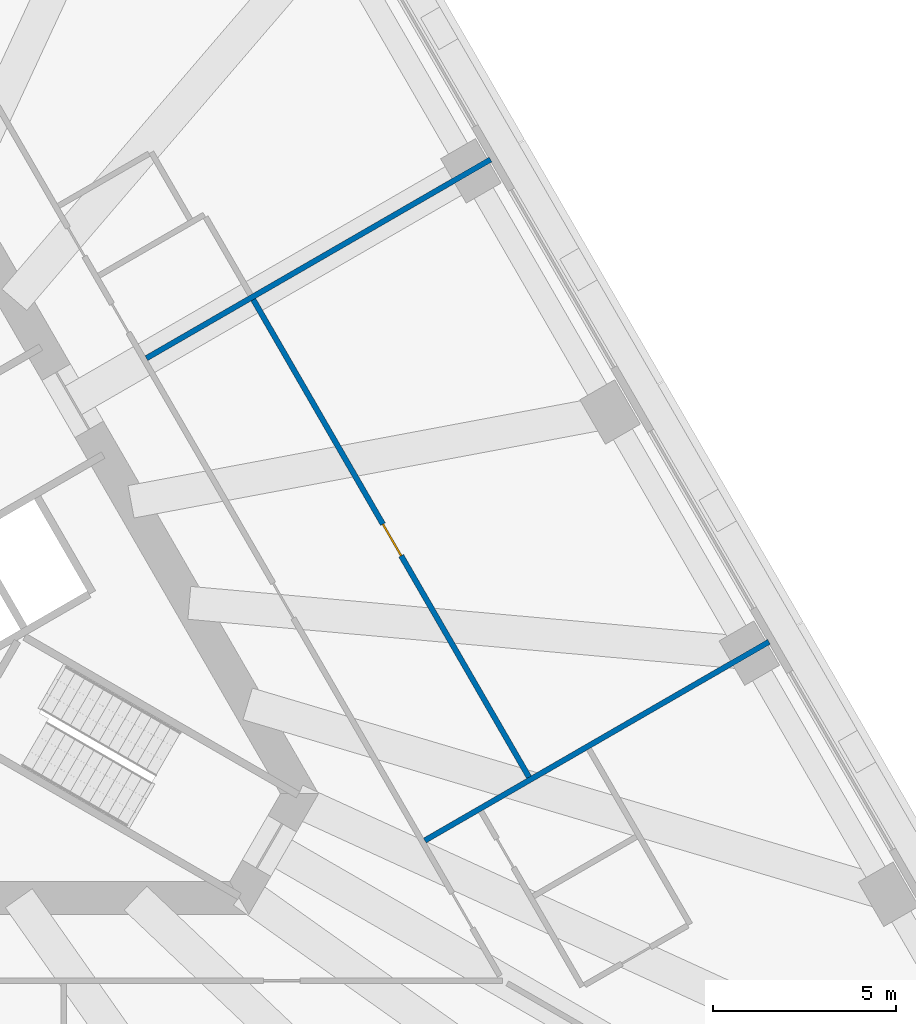
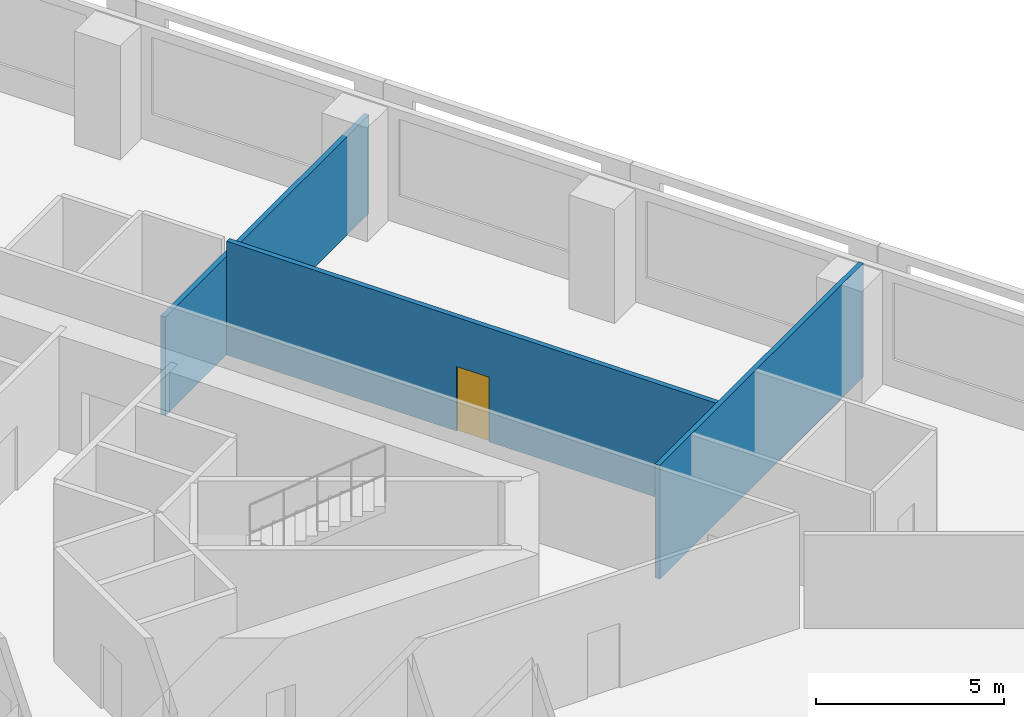
# One storey, part 7 of 11: 3 walls, 1 door, 1 opening.
"""IFC4 building model written with IfcOpenShell, lengths in metres."""

from ifc_helpers import new_model, si_unit, direction, frame, frame_2d, origin, place, context, subcontext, project, spatial, rectangle, extrude, material, layer, layer_set, type_object, element, fill, save


model = new_model("IFC4")

# Units and contexts
model_context = context("Model", 3, precision=1e-05, world=origin(), true_north=direction((0.0, 1.0)))
body_context = subcontext(model_context, "Body", "Model", "MODEL_VIEW")
ifc_project = project(units=[si_unit("LENGTHUNIT", "METRE"), si_unit("AREAUNIT", "SQUARE_METRE"), si_unit("VOLUMEUNIT", "CUBIC_METRE"), si_unit("PLANEANGLEUNIT", "RADIAN"), si_unit("MASSUNIT", "GRAM", prefix="KILO")], contexts=[model_context])

# Site, building, storey
site_placement = place(None, origin())
site = spatial("IfcSite", under=ifc_project, at=site_placement, CompositionType="ELEMENT")
building_placement = place(site_placement, origin())
building = spatial("IfcBuilding", under=site, at=building_placement, Name="Triada Interchange Tower", CompositionType="ELEMENT")
storey_placement = place(building_placement, frame((0.0, 0.0, 43.300048828125)))
storey = spatial("IfcBuildingStorey", under=building, at=storey_placement, Name="L08", CompositionType="ELEMENT", Elevation=43.300048828125)

# Walls
ifc_material_1 = material(Name="Gypsum board partition")
ifc_layer_1 = layer(ifc_material_1, 0.14990234375)
ifc_layer_set_1 = layer_set([ifc_layer_1], Name="PARTITION 150 EI 180")
wall_type_1 = type_object("IfcWallType", Name="PARTITION 150 EI 180", PredefinedType="PARTITIONING", material=ifc_layer_set_1)
wall_1_placement = place(storey_placement, frame((9.85107421875, 5.68701171875, 0.0), z_axis=(0.0, 0.0, 1.0), x_axis=(0.865997012005, 0.50004917278, 0.0)))
element("IfcWall", 1, at=wall_1_placement, inside=storey, type_object=wall_type_1, Name="Wall L06 2", PredefinedType="PARTITIONING", context=body_context, shape_type="SweptSolid", body=[
    extrude(rectangle(XDim=10.84521484375, YDim=0.14990234375, at=frame_2d((5.422607421875, 0.0))), origin(), (0.0, 0.0, 1.0), 3.199951171875),
])
wall_2_placement = place(storey_placement, frame((17.450927734375, -7.47607421875, 0.0), z_axis=(0.0, 0.0, 1.0), x_axis=(0.866002640836, 0.50003942451, 0.0)))
element("IfcWall", 2, at=wall_2_placement, inside=storey, type_object=wall_type_1, Name="Wall L06 32", PredefinedType="PARTITIONING", context=body_context, shape_type="SweptSolid", body=[
    extrude(rectangle(XDim=10.84521484375, YDim=0.14990234375, at=frame_2d((5.422607421875, 0.0))), origin(), (0.0, 0.0, 1.0), 3.699951171875),
])

# Wall, opening, door
ifc_layer_2 = layer(ifc_material_1, 0.14990234375)
ifc_layer_set_2 = layer_set([ifc_layer_2], Name="PARTITION 150 EI 90")
wall_type_2 = type_object("IfcWallType", Name="PARTITION 150 EI 90", PredefinedType="PARTITIONING", material=ifc_layer_set_2)
wall_3_placement = place(storey_placement, frame((12.76806640625, 7.284912109375, 0.0), z_axis=(0.0, 0.0, 1.0), x_axis=(0.500015945769, -0.866016197294, 0.0)))
wall_3 = element("IfcWall", 3, at=wall_3_placement, inside=storey, type_object=wall_type_2, Name="Wall L06 41", PredefinedType="PARTITIONING", context=body_context, shape_type="SweptSolid", body=[
    extrude(rectangle(XDim=15.04931640625, YDim=0.14990234375, at=frame_2d((7.524658203125, 0.0))), origin(), (0.0, 0.0, 1.0), 3.699951171875),
])
opening_placement = place(wall_3_placement, frame((7.073974609375, 0.0, 0.0)))
opening = element("IfcOpeningElement", 4, at=opening_placement, cuts=wall_3, Name="Opening D06-26", PredefinedType="OPENING", context=body_context, shape_type="SweptSolid", body=[
    extrude(rectangle(XDim=1.0, YDim=2.10009765625, at=frame_2d((0.5, 1.050048828125))), frame((0.0, 0.0849609375, 0.0), z_axis=(0.0, -1.0, 0.0), x_axis=(1.0, 0.0, 0.0)), (0.0, 0.0, 1.0), 0.169921875),
])
ifc_material_2 = material(Name="Steel S235 door leaf", Category="steel")
door_type = type_object("IfcDoorType", Name="ROOM DOOR 1000 EI2 45-C5S200", OperationType="NOTDEFINED", PredefinedType="DOOR", material=ifc_material_2)
door_placement = place(opening_placement, origin())
door = element("IfcDoor", 5, at=door_placement, inside=storey, type_object=door_type, Name="Door D06-26 L08", OperationType="SINGLE_SWING_LEFT", OverallHeight=2.10009765625, OverallWidth=1.0, PredefinedType="DOOR", context=body_context, shape_type="SweptSolid", body=[
    extrude(rectangle(XDim=1.0, YDim=2.10009765625, at=frame_2d((0.5, 1.050048828125))), frame((0.0, 0.02490234375, 0.0), z_axis=(0.0, -1.0, 0.0), x_axis=(1.0, 0.0, 0.0)), (0.0, 0.0, 1.0), 0.050048828125),
])
fill(opening, door)

save(model, "model.ifc")
